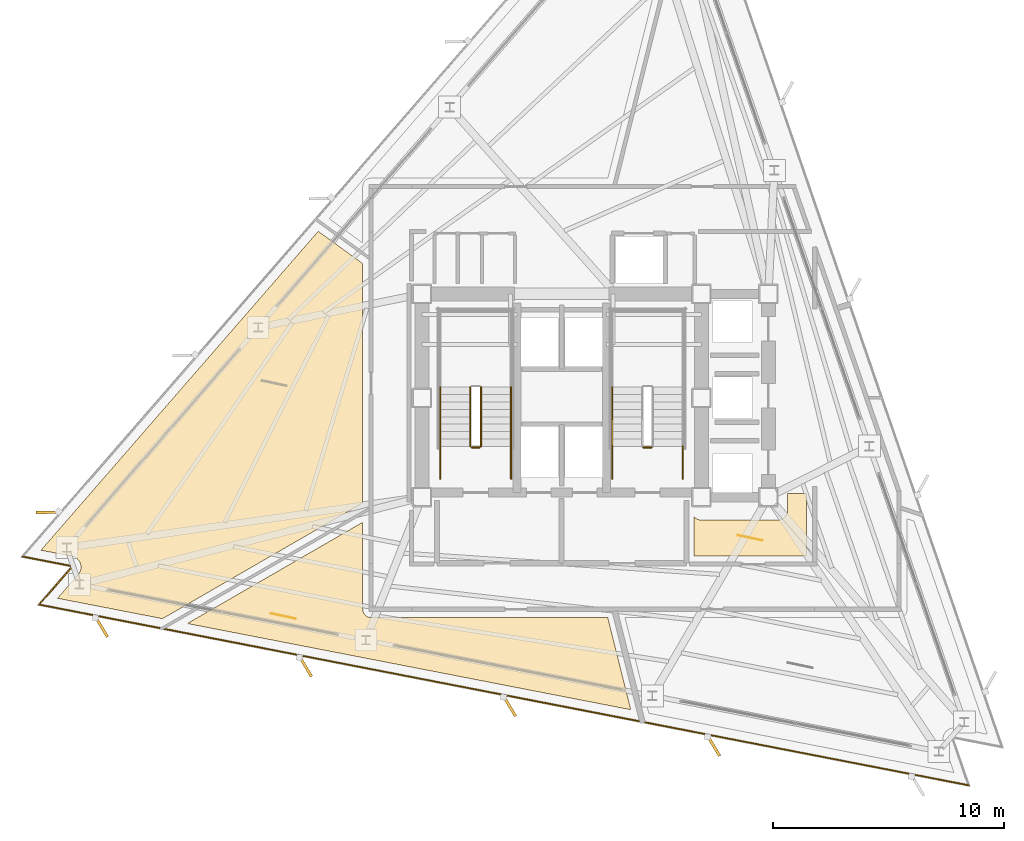
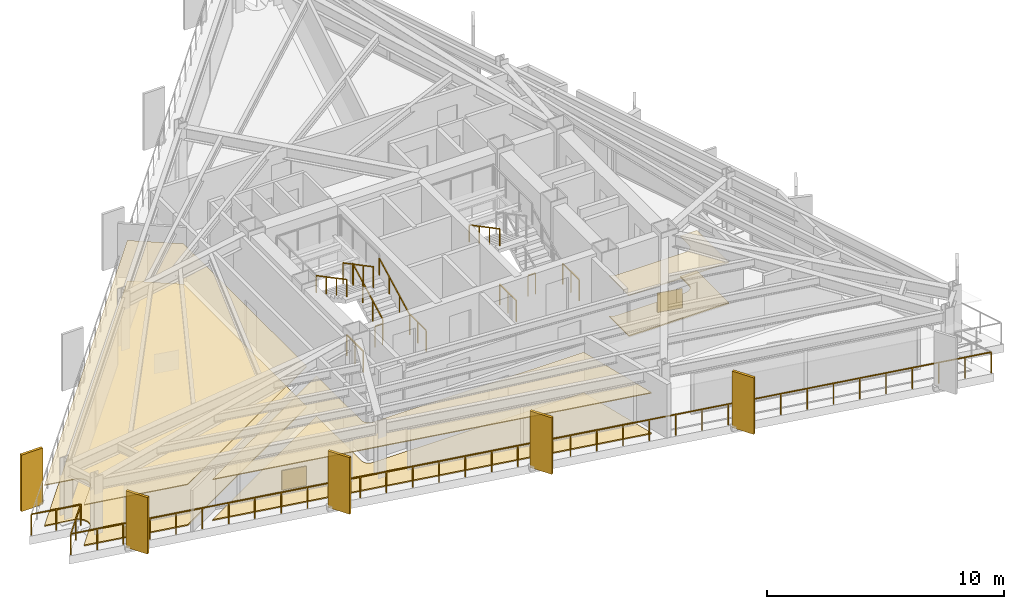
# One storey, part 11 of 13: 12 railings, 8 coverings, 5 shading devices.
"""IFC4 building model written with IfcOpenShell, lengths in metres."""

from ifc_helpers import new_model, si_unit, direction, frame, origin, origin_2d, place, context, subcontext, project, spatial, polyline, rectangle, outline, extrude, material, layer, layer_set, type_object, element, save


model = new_model("IFC4")

# Units and contexts
model_context = context("Model", 3, precision=1e-05, world=origin(), true_north=direction((0.0, 1.0)))
body_context = subcontext(model_context, "Body", "Model", "MODEL_VIEW")
ifc_project = project(units=[si_unit("LENGTHUNIT", "METRE"), si_unit("AREAUNIT", "SQUARE_METRE"), si_unit("VOLUMEUNIT", "CUBIC_METRE"), si_unit("PLANEANGLEUNIT", "RADIAN"), si_unit("MASSUNIT", "GRAM", prefix="KILO")], contexts=[model_context])

# Site, building, storey
site_placement = place(None, origin())
site = spatial("IfcSite", under=ifc_project, at=site_placement, CompositionType="ELEMENT")
building_placement = place(site_placement, origin())
building = spatial("IfcBuilding", under=site, at=building_placement, Name="Rocaltana Carrier Exchange", CompositionType="ELEMENT")
storey_placement = place(building_placement, frame((0.0, 0.0, 147.199951171875)))
storey = spatial("IfcBuildingStorey", under=building, at=storey_placement, Name="L46", CompositionType="ELEMENT", Elevation=147.199951171875)

# Coverings
ifc_material_1 = material(Name="Calcium Sulphate & Aluminium Pedestal", Category="aluminium")
ifc_layer_1 = layer(ifc_material_1, 0.06005859375)
ifc_layer_set_1 = layer_set([ifc_layer_1], Name="Calcium Sulphate & Aluminium Pedestal")
covering_type_1 = type_object("IfcCoveringType", Name="Anti-Static Raised Exchange Access Floor 60", PredefinedType="FLOORING", material=ifc_layer_set_1)
covering_1_placement = place(storey_placement, origin())
element("IfcCovering", 1, at=covering_1_placement, inside=storey, type_object=covering_type_1, Name="L46 Cloud Architecture Office Finish Floor", PredefinedType="FLOORING", context=body_context, shape_type="SweptSolid", body=[
    extrude(outline(polyline([(-20.927490234375, -7.6455078125), (-20.918701171875, -7.635009765625), (-20.906494140625, -7.619140625), (-20.890380859375, -7.596435546875), (-20.879638671875, -7.57958984375), (-20.86572265625, -7.555419921875), (-20.85693359375, -7.53759765625), (-20.845703125, -7.511962890625), (-20.83837890625, -7.493408203125), (-20.829833984375, -7.466796875), (-20.824462890625, -7.447509765625), (-20.818603515625, -7.42041015625), (-20.815185546875, -7.400634765625), (-20.81201171875, -7.372802734375), (-20.810546875, -7.35302734375), (-20.81005859375, -7.3251953125), (-20.810791015625, -7.30517578125), (-20.81298828125, -7.27734375), (-20.815673828125, -7.257568359375), (-20.82080078125, -7.230224609375), (-20.8251953125, -7.210693359375), (-20.8330078125, -7.183837890625), (-20.839599609375, -7.1650390625), (-20.849853515625, -7.13916015625), (-20.8583984375, -7.12109375), (-20.87109375, -7.09619140625), (-20.88134765625, -7.0791015625), (-20.896484375, -7.055908203125), (-20.908447265625, -7.039794921875), (-20.92578125, -7.01806640625), (-20.939208984375, -7.003173828125), (-20.958984375, -6.9833984375), (-20.9736328125, -6.969970703125), (-20.9951171875, -6.9521484375), (-21.010986328125, -6.940185546875), (-21.0341796875, -6.924560546875), (-21.051513671875, -6.914306640625), (-21.075927734375, -6.901123046875), (-21.093994140625, -6.892578125), (-21.119873046875, -6.882080078125), (-21.138671875, -6.875244140625), (-21.165283203125, -6.8671875), (-21.184814453125, -6.862548828125), (-21.1982421875, -6.859619140625), (-22.541748046875, -6.598388671875), (-10.53759765625, 7.2109375), (-8.610107421875, 5.810546875), (-8.610107421875, -4.555419921875), (-17.281494140625, -9.561767578125), (-21.82568359375, -8.6787109375), (-20.927490234375, -7.6455078125)])), origin(), (0.0, 0.0, 1.0), 0.06005859375),
])
covering_2_placement = place(storey_placement, origin())
element("IfcCovering", 2, at=covering_2_placement, inside=storey, type_object=covering_type_1, Name="L46 Network Operations Office Finish Floor", PredefinedType="FLOORING", context=body_context, shape_type="SweptSolid", body=[
    extrude(outline(polyline([(-16.204345703125, -9.771240234375), (-8.610107421875, -5.38671875), (-8.610107421875, -9.14990234375), (-8.609619140625, -9.163818359375), (-8.609375, -9.171630859375), (-8.606689453125, -9.198974609375), (-8.60546875, -9.206787109375), (-8.60009765625, -9.233642578125), (-8.59814453125, -9.2412109375), (-8.590087890625, -9.267578125), (-8.58740234375, -9.27490234375), (-8.576904296875, -9.30029296875), (-8.57373046875, -9.307373046875), (-8.560791015625, -9.331787109375), (-8.556640625, -9.33837890625), (-8.54150390625, -9.361083984375), (-8.53662109375, -9.367431640625), (-8.519287109375, -9.388916015625), (-8.513916015625, -9.39453125), (-8.49462890625, -9.4140625), (-8.48876953125, -9.419189453125), (-8.467529296875, -9.436767578125), (-8.461181640625, -9.44140625), (-8.4384765625, -9.456787109375), (-8.431640625, -9.460693359375), (-8.407470703125, -9.4736328125), (-8.400390625, -9.47705078125), (-8.375, -9.487548828125), (-8.36767578125, -9.490234375), (-8.34130859375, -9.498291015625), (-8.33349609375, -9.5), (-8.306640625, -9.50537109375), (-8.298828125, -9.506591796875), (-8.271484375, -9.50927734375), (-8.263671875, -9.509765625), (-8.25, -9.510009765625), (2.0, -9.510009765625), (2.99560546875, -13.50341796875), (-16.204345703125, -9.771240234375)])), origin(), (0.0, 0.0, 1.0), 0.06005859375),
])
covering_3_placement = place(storey_placement, origin())
element("IfcCovering", 3, at=covering_3_placement, inside=storey, type_object=covering_type_1, Name="L46 Optical Switching Laboratory Finish Floor", PredefinedType="FLOORING", context=body_context, shape_type="SweptSolid", body=[
    extrude(outline(polyline([(5.739990234375, -6.840087890625), (5.739990234375, -5.161865234375), (5.748779296875, -5.170654296875), (5.760498046875, -5.18115234375), (5.78173828125, -5.198486328125), (5.794189453125, -5.2080078125), (5.817138671875, -5.22314453125), (5.83056640625, -5.231201171875), (5.85498046875, -5.244140625), (5.869140625, -5.2509765625), (5.894287109375, -5.261474609375), (5.9091796875, -5.2666015625), (5.935546875, -5.274658203125), (5.95068359375, -5.278564453125), (5.977783203125, -5.283935546875), (5.9931640625, -5.2861328125), (6.0205078125, -5.288818359375), (6.036376953125, -5.289794921875), (6.050048828125, -5.2900390625), (9.35009765625, -5.2900390625), (9.36376953125, -5.289794921875), (9.37939453125, -5.288818359375), (9.40673828125, -5.2861328125), (9.42236328125, -5.283935546875), (9.44921875, -5.278564453125), (9.464599609375, -5.274658203125), (9.49072265625, -5.2666015625), (9.505615234375, -5.261474609375), (9.531005859375, -5.2509765625), (9.545166015625, -5.244140625), (9.5693359375, -5.231201171875), (9.582763671875, -5.22314453125), (9.605712890625, -5.2080078125), (9.618408203125, -5.198486328125), (9.639404296875, -5.18115234375), (9.651123046875, -5.170654296875), (9.670654296875, -5.151123046875), (9.68115234375, -5.139404296875), (9.698486328125, -5.118408203125), (9.7080078125, -5.105712890625), (9.72314453125, -5.082763671875), (9.731201171875, -5.0693359375), (9.744140625, -5.045166015625), (9.7509765625, -5.031005859375), (9.761474609375, -5.005615234375), (9.7666015625, -4.99072265625), (9.774658203125, -4.964599609375), (9.778564453125, -4.94921875), (9.783935546875, -4.92236328125), (9.7861328125, -4.90673828125), (9.788818359375, -4.87939453125), (9.789794921875, -4.86376953125), (9.7900390625, -4.85009765625), (9.7900390625, -4.139892578125), (10.60009765625, -4.139892578125), (10.60009765625, -6.840087890625), (5.739990234375, -6.840087890625)])), origin(), (0.0, 0.0, 1.0), 0.06005859375),
])
ifc_material_2 = material(Name="Mineral Fibre & Powder-Coated Aluminium", Category="aluminium")
ifc_layer_2 = layer(ifc_material_2, 0.044921875)
ifc_layer_set_2 = layer_set([ifc_layer_2], Name="Mineral Fibre & Powder-Coated Aluminium")
covering_type_2 = type_object("IfcCoveringType", Name="Micro-Perforated Acoustic Ceiling 45", PredefinedType="CEILING", material=ifc_layer_set_2)
covering_4_placement = place(storey_placement, frame((0.0, 0.0, 2.093017578125)))
element("IfcCovering", 4, at=covering_4_placement, inside=storey, type_object=covering_type_2, Name="L46 Cloud Architecture Office Acoustic Ceiling", PredefinedType="CEILING", context=body_context, shape_type="SweptSolid", body=[
    extrude(outline(polyline([(-20.927490234375, -7.6455078125), (-20.918701171875, -7.635009765625), (-20.906494140625, -7.619140625), (-20.890380859375, -7.596435546875), (-20.879638671875, -7.57958984375), (-20.86572265625, -7.555419921875), (-20.85693359375, -7.53759765625), (-20.845703125, -7.511962890625), (-20.83837890625, -7.493408203125), (-20.829833984375, -7.466796875), (-20.824462890625, -7.447509765625), (-20.818603515625, -7.42041015625), (-20.815185546875, -7.400634765625), (-20.81201171875, -7.372802734375), (-20.810546875, -7.35302734375), (-20.81005859375, -7.3251953125), (-20.810791015625, -7.30517578125), (-20.81298828125, -7.27734375), (-20.815673828125, -7.257568359375), (-20.82080078125, -7.230224609375), (-20.8251953125, -7.210693359375), (-20.8330078125, -7.183837890625), (-20.839599609375, -7.1650390625), (-20.849853515625, -7.13916015625), (-20.8583984375, -7.12109375), (-20.87109375, -7.09619140625), (-20.88134765625, -7.0791015625), (-20.896484375, -7.055908203125), (-20.908447265625, -7.039794921875), (-20.92578125, -7.01806640625), (-20.939208984375, -7.003173828125), (-20.958984375, -6.9833984375), (-20.9736328125, -6.969970703125), (-20.9951171875, -6.9521484375), (-21.010986328125, -6.940185546875), (-21.0341796875, -6.924560546875), (-21.051513671875, -6.914306640625), (-21.075927734375, -6.901123046875), (-21.093994140625, -6.892578125), (-21.119873046875, -6.882080078125), (-21.138671875, -6.875244140625), (-21.165283203125, -6.8671875), (-21.184814453125, -6.862548828125), (-21.1982421875, -6.859619140625), (-22.541748046875, -6.598388671875), (-10.53759765625, 7.2109375), (-8.610107421875, 5.810546875), (-8.610107421875, -4.555419921875), (-17.281494140625, -9.561767578125), (-21.82568359375, -8.6787109375), (-20.927490234375, -7.6455078125)])), origin(), (0.0, 0.0, 1.0), 0.044921875),
])
covering_5_placement = place(storey_placement, frame((0.0, 0.0, 2.093017578125)))
element("IfcCovering", 5, at=covering_5_placement, inside=storey, type_object=covering_type_2, Name="L46 Network Operations Office Acoustic Ceiling", PredefinedType="CEILING", context=body_context, shape_type="SweptSolid", body=[
    extrude(outline(polyline([(-16.204345703125, -9.771240234375), (-8.610107421875, -5.38671875), (-8.610107421875, -9.14990234375), (-8.609619140625, -9.163818359375), (-8.609375, -9.171630859375), (-8.606689453125, -9.198974609375), (-8.60546875, -9.206787109375), (-8.60009765625, -9.233642578125), (-8.59814453125, -9.2412109375), (-8.590087890625, -9.267578125), (-8.58740234375, -9.27490234375), (-8.576904296875, -9.30029296875), (-8.57373046875, -9.307373046875), (-8.560791015625, -9.331787109375), (-8.556640625, -9.33837890625), (-8.54150390625, -9.361083984375), (-8.53662109375, -9.367431640625), (-8.519287109375, -9.388916015625), (-8.513916015625, -9.39453125), (-8.49462890625, -9.4140625), (-8.48876953125, -9.419189453125), (-8.467529296875, -9.436767578125), (-8.461181640625, -9.44140625), (-8.4384765625, -9.456787109375), (-8.431640625, -9.460693359375), (-8.407470703125, -9.4736328125), (-8.400390625, -9.47705078125), (-8.375, -9.487548828125), (-8.36767578125, -9.490234375), (-8.34130859375, -9.498291015625), (-8.33349609375, -9.5), (-8.306640625, -9.50537109375), (-8.298828125, -9.506591796875), (-8.271484375, -9.50927734375), (-8.263671875, -9.509765625), (-8.25, -9.510009765625), (2.0, -9.510009765625), (2.99560546875, -13.50341796875), (-16.204345703125, -9.771240234375)])), origin(), (0.0, 0.0, 1.0), 0.044921875),
])
covering_6_placement = place(storey_placement, frame((0.0, 0.0, 2.093017578125)))
element("IfcCovering", 6, at=covering_6_placement, inside=storey, type_object=covering_type_2, Name="L46 Optical Switching Laboratory Acoustic Ceiling", PredefinedType="CEILING", context=body_context, shape_type="SweptSolid", body=[
    extrude(outline(polyline([(5.739990234375, -6.840087890625), (5.739990234375, -5.161865234375), (5.748779296875, -5.170654296875), (5.760498046875, -5.18115234375), (5.78173828125, -5.198486328125), (5.794189453125, -5.2080078125), (5.817138671875, -5.22314453125), (5.83056640625, -5.231201171875), (5.85498046875, -5.244140625), (5.869140625, -5.2509765625), (5.894287109375, -5.261474609375), (5.9091796875, -5.2666015625), (5.935546875, -5.274658203125), (5.95068359375, -5.278564453125), (5.977783203125, -5.283935546875), (5.9931640625, -5.2861328125), (6.0205078125, -5.288818359375), (6.036376953125, -5.289794921875), (6.050048828125, -5.2900390625), (9.35009765625, -5.2900390625), (9.36376953125, -5.289794921875), (9.37939453125, -5.288818359375), (9.40673828125, -5.2861328125), (9.42236328125, -5.283935546875), (9.44921875, -5.278564453125), (9.464599609375, -5.274658203125), (9.49072265625, -5.2666015625), (9.505615234375, -5.261474609375), (9.531005859375, -5.2509765625), (9.545166015625, -5.244140625), (9.5693359375, -5.231201171875), (9.582763671875, -5.22314453125), (9.605712890625, -5.2080078125), (9.618408203125, -5.198486328125), (9.639404296875, -5.18115234375), (9.651123046875, -5.170654296875), (9.670654296875, -5.151123046875), (9.68115234375, -5.139404296875), (9.698486328125, -5.118408203125), (9.7080078125, -5.105712890625), (9.72314453125, -5.082763671875), (9.731201171875, -5.0693359375), (9.744140625, -5.045166015625), (9.7509765625, -5.031005859375), (9.761474609375, -5.005615234375), (9.7666015625, -4.99072265625), (9.774658203125, -4.964599609375), (9.778564453125, -4.94921875), (9.783935546875, -4.92236328125), (9.7861328125, -4.90673828125), (9.788818359375, -4.87939453125), (9.789794921875, -4.86376953125), (9.7900390625, -4.85009765625), (9.7900390625, -4.139892578125), (10.60009765625, -4.139892578125), (10.60009765625, -6.840087890625), (5.739990234375, -6.840087890625)])), origin(), (0.0, 0.0, 1.0), 0.044921875),
])

# Railings
ifc_material_3 = material(Name="Brushed Architectural Stainless Tube", Category="steel")
ifc_layer_3 = layer(ifc_material_3, 0.048095703125)
ifc_layer_set_3 = layer_set([ifc_layer_3], Name="Brushed Architectural Stainless Tube")
railing_type_1 = type_object("IfcRailingType", Name="Stair Wall Handrail 920", PredefinedType="HANDRAIL", material=ifc_layer_set_3)
railing_1_placement = place(storey_placement, frame((-2.18994140625, -2.10009765625, 0.1689453125)))
element("IfcRailing", 7, at=railing_1_placement, inside=storey, type_object=railing_type_1, Name="L46 ST-1 stair handrail 1", PredefinedType="HANDRAIL", context=body_context, shape_type="SweptSolid", body=[
    extrude(rectangle(XDim=0.048095703125, YDim=0.048095703125, at=origin_2d()), frame((0.0, 0.0, 0.8759765625), z_axis=(0.0, 0.884394423565, 0.466740295633), x_axis=(-1.0, 0.0, 0.0)), (0.0, 0.0, 1.0), 2.894775390625),
    extrude(rectangle(XDim=0.0419921875, YDim=0.0419921875, at=origin_2d()), origin(), (0.0, 0.0, 1.0), 0.851806640625),
    extrude(rectangle(XDim=0.0419921875, YDim=0.0419921875, at=origin_2d()), frame((0.0, 0.853271484375, 0.450439453125)), (0.0, 0.0, 1.0), 0.851806640625),
    extrude(rectangle(XDim=0.0419921875, YDim=0.0419921875, at=origin_2d()), frame((0.0, 1.706787109375, 0.900634765625)), (0.0, 0.0, 1.0), 0.851806640625),
    extrude(rectangle(XDim=0.0419921875, YDim=0.0419921875, at=origin_2d()), frame((0.0, 2.56005859375, 1.35107421875)), (0.0, 0.0, 1.0), 0.851806640625),
])
for number, where, name in (
    (8, (-5.25, 0.4599609375, 1.68896484375), "L46 ST-1 stair handrail 2"),
    (9, (2.18994140625, 0.4599609375, 1.68896484375), "L46 ST-2 stair handrail 2"),
):
    element("IfcRailing", number, at=place(storey_placement, frame(where)), inside=storey, type_object=railing_type_1, Name=name, PredefinedType="HANDRAIL", context=body_context, shape_type="SweptSolid", body=[
        extrude(rectangle(XDim=0.048095703125, YDim=0.048095703125, at=origin_2d()), frame((0.0, 0.0, 0.8759765625), z_axis=(0.0, -0.884394423565, 0.466740295633), x_axis=(1.0, 0.0, 0.0)), (0.0, 0.0, 1.0), 2.894775390625),
        extrude(rectangle(XDim=0.0419921875, YDim=0.0419921875, at=origin_2d()), origin(), (0.0, 0.0, 1.0), 0.851806640625),
        extrude(rectangle(XDim=0.0419921875, YDim=0.0419921875, at=origin_2d()), frame((0.0, -0.853271484375, 0.450439453125)), (0.0, 0.0, 1.0), 0.851806640625),
        extrude(rectangle(XDim=0.0419921875, YDim=0.0419921875, at=origin_2d()), frame((0.0, -1.706787109375, 0.900634765625)), (0.0, 0.0, 1.0), 0.851806640625),
        extrude(rectangle(XDim=0.0419921875, YDim=0.0419921875, at=origin_2d()), frame((0.0, -2.56005859375, 1.35107421875)), (0.0, 0.0, 1.0), 0.851806640625),
    ])
ifc_material_4 = material(Name="Powder-Coated Aluminium 6063-T6", Category="aluminium")
ifc_layer_4 = layer(ifc_material_4, 0.048095703125)
ifc_layer_set_4 = layer_set([ifc_layer_4], Name="Powder-Coated Aluminium 6063-T6")
railing_type_2 = type_object("IfcRailingType", Name="Stair Well Guardrail 1100", PredefinedType="GUARDRAIL", material=ifc_layer_set_4)
railing_2_placement = place(storey_placement, frame((-3.489990234375, -2.10009765625, 0.1689453125)))
element("IfcRailing", 10, at=railing_2_placement, inside=storey, type_object=railing_type_2, Name="L46 ST-1 stair guard 1", PredefinedType="GUARDRAIL", context=body_context, shape_type="SweptSolid", body=[
    extrude(rectangle(XDim=0.048095703125, YDim=0.048095703125, at=origin_2d()), frame((0.0, 0.0, 1.076171875), z_axis=(0.0, 0.884394423565, 0.466740295633), x_axis=(-1.0, 0.0, 0.0)), (0.0, 0.0, 1.0), 2.894775390625),
    extrude(rectangle(XDim=0.0419921875, YDim=0.0419921875, at=origin_2d()), origin(), (0.0, 0.0, 1.0), 1.052001953125),
    extrude(rectangle(XDim=0.0419921875, YDim=0.0419921875, at=origin_2d()), frame((0.0, 0.853271484375, 0.450439453125)), (0.0, 0.0, 1.0), 1.052001953125),
    extrude(rectangle(XDim=0.0419921875, YDim=0.0419921875, at=origin_2d()), frame((0.0, 1.706787109375, 0.900634765625)), (0.0, 0.0, 1.0), 1.052001953125),
    extrude(rectangle(XDim=0.0419921875, YDim=0.0419921875, at=origin_2d()), frame((0.0, 2.56005859375, 1.35107421875)), (0.0, 0.0, 1.0), 1.052001953125),
])
railing_3_placement = place(storey_placement, frame((-3.949951171875, 0.4599609375, 1.68896484375)))
element("IfcRailing", 11, at=railing_3_placement, inside=storey, type_object=railing_type_2, Name="L46 ST-1 stair guard 6", PredefinedType="GUARDRAIL", context=body_context, shape_type="SweptSolid", body=[
    extrude(rectangle(XDim=0.048095703125, YDim=0.048095703125, at=origin_2d()), frame((0.0, 0.0, 1.076171875), z_axis=(0.0, -0.884394423565, 0.466740295633), x_axis=(1.0, 0.0, 0.0)), (0.0, 0.0, 1.0), 2.894775390625),
    extrude(rectangle(XDim=0.0419921875, YDim=0.0419921875, at=origin_2d()), origin(), (0.0, 0.0, 1.0), 1.052001953125),
    extrude(rectangle(XDim=0.0419921875, YDim=0.0419921875, at=origin_2d()), frame((0.0, -0.853271484375, 0.450439453125)), (0.0, 0.0, 1.0), 1.052001953125),
    extrude(rectangle(XDim=0.0419921875, YDim=0.0419921875, at=origin_2d()), frame((0.0, -1.706787109375, 0.900634765625)), (0.0, 0.0, 1.0), 1.052001953125),
    extrude(rectangle(XDim=0.0419921875, YDim=0.0419921875, at=origin_2d()), frame((0.0, -2.56005859375, 1.35107421875)), (0.0, 0.0, 1.0), 1.052001953125),
])
railing_4_placement = place(storey_placement, frame((-3.5400390625, -2.14990234375, 0.0)))
element("IfcRailing", 12, at=railing_4_placement, inside=storey, type_object=railing_type_2, Name="L46 ST-1 stair guard 7", PredefinedType="GUARDRAIL", context=body_context, shape_type="SweptSolid", body=[
    extrude(rectangle(XDim=0.048095703125, YDim=0.048095703125, at=origin_2d()), frame((0.0, 0.0, 1.076171875), z_axis=(-1.0, 0.0, 0.0), x_axis=(0.0, -1.0, 0.0)), (0.0, 0.0, 1.0), 0.35986328125),
    extrude(rectangle(XDim=0.0419921875, YDim=0.0419921875, at=origin_2d()), origin(), (0.0, 0.0, 1.0), 1.052001953125),
    extrude(rectangle(XDim=0.0419921875, YDim=0.0419921875, at=origin_2d()), frame((-0.35986328125, 0.0, 0.0)), (0.0, 0.0, 1.0), 1.052001953125),
])
for number, where, name in (
    (13, (-2.18994140625, -3.5, 0.0), "L46 ST-1 stair guard 8"),
    (14, (-5.25, -3.5, 0.0), "L46 ST-1 stair guard 9"),
):
    element("IfcRailing", number, at=place(storey_placement, frame(where)), inside=storey, type_object=railing_type_2, Name=name, PredefinedType="GUARDRAIL", context=body_context, shape_type="SweptSolid", body=[
        extrude(rectangle(XDim=0.048095703125, YDim=0.048095703125, at=origin_2d()), frame((0.0, 0.0, 1.076171875), z_axis=(0.0, 1.0, 0.0), x_axis=(-1.0, 0.0, 0.0)), (0.0, 0.0, 1.0), 1.39990234375),
        extrude(rectangle(XDim=0.0419921875, YDim=0.0419921875, at=origin_2d()), origin(), (0.0, 0.0, 1.0), 1.052001953125),
        extrude(rectangle(XDim=0.0419921875, YDim=0.0419921875, at=origin_2d()), frame((0.0, 0.699951171875, 0.0)), (0.0, 0.0, 1.0), 1.052001953125),
        extrude(rectangle(XDim=0.0419921875, YDim=0.0419921875, at=origin_2d()), frame((0.0, 1.39990234375, 0.0)), (0.0, 0.0, 1.0), 1.052001953125),
    ])
railing_5_placement = place(storey_placement, frame((3.89990234375, -2.14990234375, 0.0)))
element("IfcRailing", 15, at=railing_5_placement, inside=storey, type_object=railing_type_2, Name="L46 ST-2 stair guard 7", PredefinedType="GUARDRAIL", context=body_context, shape_type="SweptSolid", body=[
    extrude(rectangle(XDim=0.048095703125, YDim=0.048095703125, at=origin_2d()), frame((0.0, 0.0, 1.076171875), z_axis=(-1.0, 0.0, 0.0), x_axis=(0.0, -1.0, 0.0)), (0.0, 0.0, 1.0), 0.35986328125),
    extrude(rectangle(XDim=0.0419921875, YDim=0.0419921875, at=origin_2d()), origin(), (0.0, 0.0, 1.0), 1.052001953125),
    extrude(rectangle(XDim=0.0419921875, YDim=0.0419921875, at=origin_2d()), frame((-0.35986328125, 0.0, 0.0)), (0.0, 0.0, 1.0), 1.052001953125),
])
for number, where, name in (
    (16, (5.25, -3.5, 0.0), "L46 ST-2 stair guard 8"),
    (17, (2.18994140625, -3.5, 0.0), "L46 ST-2 stair guard 9"),
):
    element("IfcRailing", number, at=place(storey_placement, frame(where)), inside=storey, type_object=railing_type_2, Name=name, PredefinedType="GUARDRAIL", context=body_context, shape_type="SweptSolid", body=[
        extrude(rectangle(XDim=0.048095703125, YDim=0.048095703125, at=origin_2d()), frame((0.0, 0.0, 1.076171875), z_axis=(0.0, 1.0, 0.0), x_axis=(-1.0, 0.0, 0.0)), (0.0, 0.0, 1.0), 1.39990234375),
        extrude(rectangle(XDim=0.0419921875, YDim=0.0419921875, at=origin_2d()), origin(), (0.0, 0.0, 1.0), 1.052001953125),
        extrude(rectangle(XDim=0.0419921875, YDim=0.0419921875, at=origin_2d()), frame((0.0, 0.699951171875, 0.0)), (0.0, 0.0, 1.0), 1.052001953125),
        extrude(rectangle(XDim=0.0419921875, YDim=0.0419921875, at=origin_2d()), frame((0.0, 1.39990234375, 0.0)), (0.0, 0.0, 1.0), 1.052001953125),
    ])

# Coverings
ifc_material_5 = material(Name="Honed Piedra Muneca Sandstone", Category="masonry")
ifc_layer_5 = layer(ifc_material_5, 0.034912109375)
ifc_layer_set_5 = layer_set([ifc_layer_5], Name="Honed Piedra Muneca Sandstone")
covering_type_3 = type_object("IfcCoveringType", Name="Stone Facade Cladding 35", PredefinedType="CLADDING", material=ifc_layer_set_5)
for number, where, z_axis, x_axis, name in (
    (18, (-12.048095703125, -9.448974609375, 0.0), (0.0, 0.0, 1.0), (-0.978147600734, 0.207911690818, 0.0), "L46 Stone Facade Cladding Panel 2"),
    (19, (8.169921875, -6.06494140625, 0.0), (0.0, 0.0, 1.0), (-0.978147600734, 0.207911690818, 0.0), "L46 Stone Facade Cladding Panel 4"),
):
    element("IfcCovering", number, at=place(storey_placement, frame(where, z_axis=z_axis, x_axis=x_axis)), inside=storey, type_object=covering_type_3, Name=name, PredefinedType="CLADDING", context=body_context, shape_type="SweptSolid", body=[
        extrude(rectangle(XDim=1.10009765625, YDim=0.034912109375, at=origin_2d()), origin(), (0.0, 0.0, 1.0), 1.050048828125),
    ])

# Shading devices
ifc_material_6 = material(Name="Honed Bogota Sandstone & Concrete C45/55", Category="masonry")
ifc_layer_6 = layer(ifc_material_6, 0.1201171875)
ifc_layer_set_6 = layer_set([ifc_layer_6], Name="Honed Bogota Sandstone & Concrete C45/55")
shading_device_type = type_object("IfcShadingDeviceType", Name="Upper Sandstone Shading Fin 1050x120", PredefinedType="USERDEFINED", material=ifc_layer_set_6)
for number, where, z_axis, x_axis, name in (
    (20, (-22.228759765625, -4.95703125, -0.1201171875), (0.0, 0.0, 1.0), (-0.999847695156, -0.017452406437, 0.0), "L46 Sandstone Vertical Fin F2-05"),
    (21, (-19.93115234375, -9.90283203125, -0.1201171875), (0.0, 0.0, 1.0), (0.51503807491, -0.857167300702, 0.0), "L46 Sandstone Vertical Fin F3-01"),
    (22, (-11.0966796875, -11.6201171875, -0.1201171875), (0.0, 0.0, 1.0), (0.51503807491, -0.857167300702, 0.0), "L46 Sandstone Vertical Fin F3-02"),
    (23, (-2.261962890625, -13.33740234375, -0.1201171875), (0.0, 0.0, 1.0), (0.51503807491, -0.857167300702, 0.0), "L46 Sandstone Vertical Fin F3-03"),
    (24, (6.57275390625, -15.0546875, -0.1201171875), (0.0, 0.0, 1.0), (0.51503807491, -0.857167300702, 0.0), "L46 Sandstone Vertical Fin F3-04"),
):
    element("IfcShadingDevice", number, at=place(storey_placement, frame(where, z_axis=z_axis, x_axis=x_axis)), inside=storey, type_object=shading_device_type, Name=name, ObjectType="FIN", PredefinedType="USERDEFINED", context=body_context, shape_type="SweptSolid", body=[
        extrude(rectangle(XDim=1.050048828125, YDim=0.1201171875, at=origin_2d()), origin(), (0.0, 0.0, 1.0), 2.907958984375),
    ])

# Railing
ifc_material_7 = material(Name="Powder-Coated Aluminium 6063-T6", Category="aluminium")
ifc_layer_7 = layer(ifc_material_7, 0.06005859375)
ifc_layer_set_7 = layer_set([ifc_layer_7], Name="Powder-Coated Aluminium 6063-T6")
railing_type_3 = type_object("IfcRailingType", Name="Wind-Floor & Terrace Perimeter Guardrail 1100", PredefinedType="GUARDRAIL", material=ifc_layer_set_7)
railing_6_placement = place(storey_placement, frame((17.619140625, -16.773681640625, 0.0)))
element("IfcRailing", 25, at=railing_6_placement, inside=storey, type_object=railing_type_3, Name="L46 Perimeter Balcony Guardrail 1", PredefinedType="GUARDRAIL", context=body_context, shape_type="SweptSolid", body=[
    extrude(rectangle(XDim=0.048095703125, YDim=0.048095703125, at=origin_2d()), frame((0.0, 0.0, 1.076171875), z_axis=(-0.981626701724, 0.190811473615, 0.0), x_axis=(-0.190811473615, -0.981626701724, 0.0)), (0.0, 0.0, 1.0), 40.9921875),
    extrude(rectangle(XDim=0.048095703125, YDim=0.048095703125, at=origin_2d()), frame((-40.239013671875, 7.82177734375, 1.076171875), z_axis=(0.656057821484, 0.75471062989, 0.0), x_axis=(-0.75471062989, 0.656057821484, 0.0)), (0.0, 0.0, 1.0), 2.199951171875),
    extrude(rectangle(XDim=0.048095703125, YDim=0.048095703125, at=origin_2d()), frame((-38.795654296875, 9.482177734375, 1.076171875), z_axis=(-0.98163329095, 0.190777572317, 0.0), x_axis=(-0.190777572317, -0.98163329095, 0.0)), (0.0, 0.0, 1.0), 2.19970703125),
    extrude(rectangle(XDim=0.0419921875, YDim=0.0419921875, at=origin_2d()), origin(), (0.0, 0.0, 1.0), 1.052001953125),
    extrude(rectangle(XDim=0.0419921875, YDim=0.0419921875, at=origin_2d()), frame((-1.149658203125, 0.223388671875, 0.0)), (0.0, 0.0, 1.0), 1.052001953125),
    extrude(rectangle(XDim=0.0419921875, YDim=0.0419921875, at=origin_2d()), frame((-2.29931640625, 0.447021484375, 0.0)), (0.0, 0.0, 1.0), 1.052001953125),
    extrude(rectangle(XDim=0.0419921875, YDim=0.0419921875, at=origin_2d()), frame((-3.448974609375, 0.67041015625, 0.0)), (0.0, 0.0, 1.0), 1.052001953125),
    extrude(rectangle(XDim=0.0419921875, YDim=0.0419921875, at=origin_2d()), frame((-4.5986328125, 0.893798828125, 0.0)), (0.0, 0.0, 1.0), 1.052001953125),
    extrude(rectangle(XDim=0.0419921875, YDim=0.0419921875, at=origin_2d()), frame((-5.74853515625, 1.117431640625, 0.0)), (0.0, 0.0, 1.0), 1.052001953125),
    extrude(rectangle(XDim=0.0419921875, YDim=0.0419921875, at=origin_2d()), frame((-6.898193359375, 1.3408203125, 0.0)), (0.0, 0.0, 1.0), 1.052001953125),
    extrude(rectangle(XDim=0.0419921875, YDim=0.0419921875, at=origin_2d()), frame((-8.0478515625, 1.564453125, 0.0)), (0.0, 0.0, 1.0), 1.052001953125),
    extrude(rectangle(XDim=0.0419921875, YDim=0.0419921875, at=origin_2d()), frame((-9.197509765625, 1.787841796875, 0.0)), (0.0, 0.0, 1.0), 1.052001953125),
    extrude(rectangle(XDim=0.0419921875, YDim=0.0419921875, at=origin_2d()), frame((-10.34716796875, 2.01123046875, 0.0)), (0.0, 0.0, 1.0), 1.052001953125),
    extrude(rectangle(XDim=0.0419921875, YDim=0.0419921875, at=origin_2d()), frame((-11.496826171875, 2.23486328125, 0.0)), (0.0, 0.0, 1.0), 1.052001953125),
    extrude(rectangle(XDim=0.0419921875, YDim=0.0419921875, at=origin_2d()), frame((-12.646484375, 2.458251953125, 0.0)), (0.0, 0.0, 1.0), 1.052001953125),
    extrude(rectangle(XDim=0.0419921875, YDim=0.0419921875, at=origin_2d()), frame((-13.796142578125, 2.681640625, 0.0)), (0.0, 0.0, 1.0), 1.052001953125),
    extrude(rectangle(XDim=0.0419921875, YDim=0.0419921875, at=origin_2d()), frame((-14.94580078125, 2.9052734375, 0.0)), (0.0, 0.0, 1.0), 1.052001953125),
    extrude(rectangle(XDim=0.0419921875, YDim=0.0419921875, at=origin_2d()), frame((-16.095703125, 3.128662109375, 0.0)), (0.0, 0.0, 1.0), 1.052001953125),
    extrude(rectangle(XDim=0.0419921875, YDim=0.0419921875, at=origin_2d()), frame((-17.245361328125, 3.352294921875, 0.0)), (0.0, 0.0, 1.0), 1.052001953125),
    extrude(rectangle(XDim=0.0419921875, YDim=0.0419921875, at=origin_2d()), frame((-18.39501953125, 3.57568359375, 0.0)), (0.0, 0.0, 1.0), 1.052001953125),
    extrude(rectangle(XDim=0.0419921875, YDim=0.0419921875, at=origin_2d()), frame((-19.544677734375, 3.799072265625, 0.0)), (0.0, 0.0, 1.0), 1.052001953125),
    extrude(rectangle(XDim=0.0419921875, YDim=0.0419921875, at=origin_2d()), frame((-20.6943359375, 4.022705078125, 0.0)), (0.0, 0.0, 1.0), 1.052001953125),
    extrude(rectangle(XDim=0.0419921875, YDim=0.0419921875, at=origin_2d()), frame((-21.843994140625, 4.24609375, 0.0)), (0.0, 0.0, 1.0), 1.052001953125),
    extrude(rectangle(XDim=0.0419921875, YDim=0.0419921875, at=origin_2d()), frame((-22.99365234375, 4.469482421875, 0.0)), (0.0, 0.0, 1.0), 1.052001953125),
    extrude(rectangle(XDim=0.0419921875, YDim=0.0419921875, at=origin_2d()), frame((-24.143310546875, 4.693115234375, 0.0)), (0.0, 0.0, 1.0), 1.052001953125),
    extrude(rectangle(XDim=0.0419921875, YDim=0.0419921875, at=origin_2d()), frame((-25.293212890625, 4.91650390625, 0.0)), (0.0, 0.0, 1.0), 1.052001953125),
    extrude(rectangle(XDim=0.0419921875, YDim=0.0419921875, at=origin_2d()), frame((-26.44287109375, 5.14013671875, 0.0)), (0.0, 0.0, 1.0), 1.052001953125),
    extrude(rectangle(XDim=0.0419921875, YDim=0.0419921875, at=origin_2d()), frame((-27.592529296875, 5.363525390625, 0.0)), (0.0, 0.0, 1.0), 1.052001953125),
    extrude(rectangle(XDim=0.0419921875, YDim=0.0419921875, at=origin_2d()), frame((-28.7421875, 5.5869140625, 0.0)), (0.0, 0.0, 1.0), 1.052001953125),
    extrude(rectangle(XDim=0.0419921875, YDim=0.0419921875, at=origin_2d()), frame((-29.891845703125, 5.810546875, 0.0)), (0.0, 0.0, 1.0), 1.052001953125),
    extrude(rectangle(XDim=0.0419921875, YDim=0.0419921875, at=origin_2d()), frame((-31.04150390625, 6.033935546875, 0.0)), (0.0, 0.0, 1.0), 1.052001953125),
    extrude(rectangle(XDim=0.0419921875, YDim=0.0419921875, at=origin_2d()), frame((-32.191162109375, 6.25732421875, 0.0)), (0.0, 0.0, 1.0), 1.052001953125),
    extrude(rectangle(XDim=0.0419921875, YDim=0.0419921875, at=origin_2d()), frame((-33.3408203125, 6.48095703125, 0.0)), (0.0, 0.0, 1.0), 1.052001953125),
    extrude(rectangle(XDim=0.0419921875, YDim=0.0419921875, at=origin_2d()), frame((-34.490478515625, 6.704345703125, 0.0)), (0.0, 0.0, 1.0), 1.052001953125),
    extrude(rectangle(XDim=0.0419921875, YDim=0.0419921875, at=origin_2d()), frame((-35.640380859375, 6.927978515625, 0.0)), (0.0, 0.0, 1.0), 1.052001953125),
    extrude(rectangle(XDim=0.0419921875, YDim=0.0419921875, at=origin_2d()), frame((-36.7900390625, 7.1513671875, 0.0)), (0.0, 0.0, 1.0), 1.052001953125),
    extrude(rectangle(XDim=0.0419921875, YDim=0.0419921875, at=origin_2d()), frame((-37.939697265625, 7.374755859375, 0.0)), (0.0, 0.0, 1.0), 1.052001953125),
    extrude(rectangle(XDim=0.0419921875, YDim=0.0419921875, at=origin_2d()), frame((-39.08935546875, 7.598388671875, 0.0)), (0.0, 0.0, 1.0), 1.052001953125),
    extrude(rectangle(XDim=0.0419921875, YDim=0.0419921875, at=origin_2d()), frame((-40.239013671875, 7.82177734375, 0.0)), (0.0, 0.0, 1.0), 1.052001953125),
    extrude(rectangle(XDim=0.0419921875, YDim=0.0419921875, at=origin_2d()), frame((-39.517333984375, 8.65185546875, 0.0)), (0.0, 0.0, 1.0), 1.052001953125),
    extrude(rectangle(XDim=0.0419921875, YDim=0.0419921875, at=origin_2d()), frame((-38.795654296875, 9.482177734375, 0.0)), (0.0, 0.0, 1.0), 1.052001953125),
    extrude(rectangle(XDim=0.0419921875, YDim=0.0419921875, at=origin_2d()), frame((-39.87548828125, 9.69189453125, 0.0)), (0.0, 0.0, 1.0), 1.052001953125),
    extrude(rectangle(XDim=0.0419921875, YDim=0.0419921875, at=origin_2d()), frame((-40.955078125, 9.90185546875, 0.0)), (0.0, 0.0, 1.0), 1.052001953125),
])

save(model, "model.ifc")
